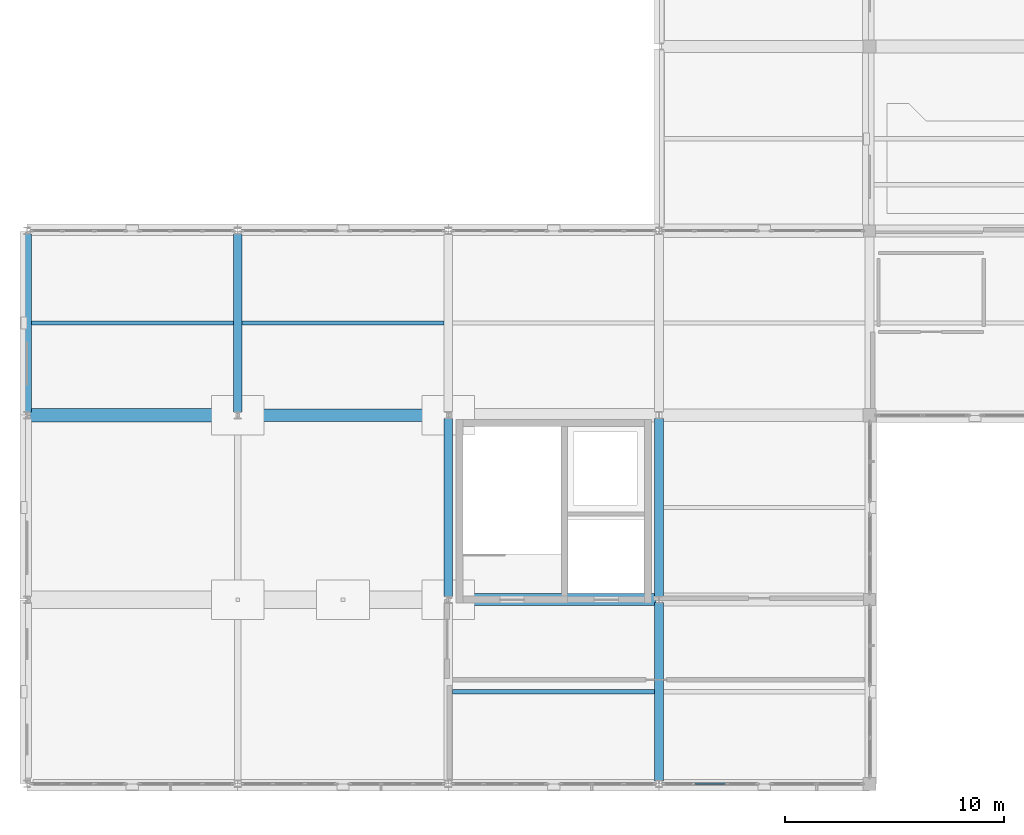
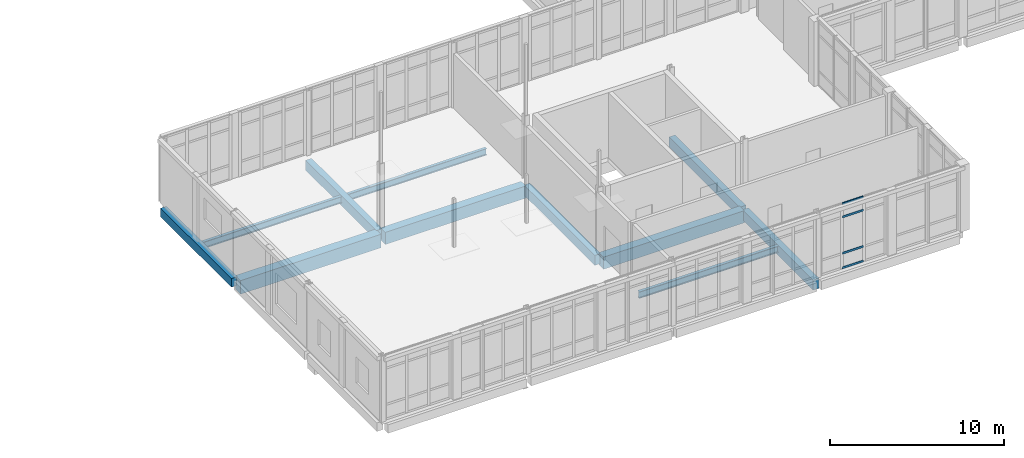
# One storey, part 11 of 88: 11 beams, 4 members, 1 element without a shape of its own.
"""IFC4 building model written with IfcOpenShell, lengths in metres."""

import ifcopenshell
import ifcopenshell.guid

model = None  # the IFC model being written
_history = None  # IfcOwnerHistory: only IFC2X3 demands one
_inside = {}  # id of a spatial element -> (the spatial element, [elements in it])
_under = {}  # id of a project, library or spatial element -> (it, [spatial elements below it])
_declared = {}  # id of a project -> (the project, [libraries it declares])
_typed = {}  # id of a type object -> (the type object, [elements of that type])
_made_of = {}  # id of a material, layer set ... -> (it, [elements and type objects made of it])


def new_model(schema):
    """Start an empty IFC model of exactly this schema.

    Asked for "IFC4X3", IfcOpenShell would pick the latest addendum, in which some entities
    have other attributes; the version numbers below select the first issue.
    IFC2X3 requires an IfcOwnerHistory on every rooted entity: one is made here for all.
    """
    global model, _history
    if schema == "IFC4X3":
        model = ifcopenshell.file(schema_version=(4, 3, 0, 0))
    else:
        model = ifcopenshell.file(schema=schema)
    _inside.clear()
    _under.clear()
    _declared.clear()
    _typed.clear()
    _made_of.clear()
    _history = None
    if model.schema == "IFC2X3":
        org = make("IfcOrganization", Name="unknown")
        user = make(
            "IfcPersonAndOrganization",
            ThePerson=make("IfcPerson", FamilyName="unknown"),
            TheOrganization=org,
        )
        app = make(
            "IfcApplication",
            ApplicationDeveloper=org,
            Version="unknown",
            ApplicationFullName="unknown",
            ApplicationIdentifier="unknown",
        )
        _history = make(
            "IfcOwnerHistory",
            OwningUser=user,
            OwningApplication=app,
            ChangeAction="ADDED",
            CreationDate=0,
        )
    return model


def make(cls, **values):
    """One entity of the class cls with the attributes given. An attribute that is None is left unset."""
    return model.create_entity(
        cls, **{name: value for name, value in values.items() if value is not None}
    )


def rooted(cls, **values):
    """An entity with a GlobalId (a new one), such as an element, a storey or a relation."""
    return make(cls, GlobalId=ifcopenshell.guid.new(), OwnerHistory=_history, **values)


def si_unit(unit_type, name, prefix=None):
    """IfcSIUnit, for example si_unit("LENGTHUNIT", "METRE", prefix="MILLI")."""
    return make("IfcSIUnit", UnitType=unit_type, Prefix=prefix, Name=name)


def assignment(units):
    """IfcUnitAssignment: the units of a project."""
    return None if units is None else make("IfcUnitAssignment", Units=units)


def point(xyz):
    """IfcCartesianPoint."""
    return None if xyz is None else make("IfcCartesianPoint", Coordinates=xyz)


def direction(xyz):
    """IfcDirection."""
    return None if xyz is None else make("IfcDirection", DirectionRatios=xyz)


def frame(location, z_axis=None, x_axis=None):
    """IfcAxis2Placement3D, a coordinate frame: its origin and axes. An axis left out is left unset."""
    return make(
        "IfcAxis2Placement3D",
        Location=point(location),
        Axis=direction(z_axis),
        RefDirection=direction(x_axis),
    )


def frame_2d(location, x_axis=None):
    """IfcAxis2Placement2D, a coordinate frame in the plane: its origin and x axis."""
    return make(
        "IfcAxis2Placement2D", Location=point(location), RefDirection=direction(x_axis)
    )


def origin():
    """The frame at (0, 0, 0) with its axes left unset."""
    return frame((0.0, 0.0, 0.0))


def origin_2d():
    """The frame at (0, 0) in the plane with its x axis left unset."""
    return frame_2d((0.0, 0.0))


def place(relative_to, where):
    """IfcLocalPlacement: puts the frame where relative to a parent placement (None: the world)."""
    return make(
        "IfcLocalPlacement", PlacementRelTo=relative_to, RelativePlacement=where
    )


def context(
    kind, dimensions, precision=None, world=None, true_north=None, identifier=None
):
    """IfcGeometricRepresentationContext, for example the 3D "Model" context."""
    return make(
        "IfcGeometricRepresentationContext",
        ContextIdentifier=identifier,
        ContextType=kind,
        CoordinateSpaceDimension=dimensions,
        Precision=precision,
        WorldCoordinateSystem=world,
        TrueNorth=true_north,
    )


def subcontext(parent, identifier, kind, view, scale=None):
    """IfcGeometricRepresentationSubContext, for example "Body" below "Model"."""
    return make(
        "IfcGeometricRepresentationSubContext",
        ContextIdentifier=identifier,
        ContextType=kind,
        ParentContext=parent,
        TargetScale=scale,
        TargetView=view,
    )


def project(units=None, contexts=None):
    """IfcProject with its units and contexts."""
    return rooted(
        "IfcProject",
        Name="project",
        RepresentationContexts=contexts,
        UnitsInContext=assignment(units),
    )


def spatial(cls, under=None, at=None, **own):
    """A site, building, storey or space (cls), placed at a placement, below another one or the project."""
    s = rooted(cls, ObjectPlacement=at, **own)
    if under is not None:
        _under.setdefault(under.id(), (under, []))[1].append(s)
    return s


def profile(cls, at=None, kind="AREA", **sizes):
    """A parametric profile (cls). Its sizes go by their IFC names, for example OverallWidth=200.0."""
    return make(cls, ProfileType=kind, Position=at, **sizes)


def rectangle(**sizes):
    """IfcRectangleProfileDef."""
    return profile("IfcRectangleProfileDef", **sizes)


def hollow_rectangle(**sizes):
    """IfcRectangleHollowProfileDef."""
    return profile("IfcRectangleHollowProfileDef", **sizes)


def i_section(**sizes):
    """IfcIShapeProfileDef."""
    return profile("IfcIShapeProfileDef", **sizes)


def extrude(swept, where, along, depth):
    """IfcExtrudedAreaSolid: the profile swept, set in the frame where, extruded along a direction by depth."""
    return make(
        "IfcExtrudedAreaSolid",
        SweptArea=swept,
        Position=where,
        ExtrudedDirection=direction(along),
        Depth=depth,
    )


def shape(context_of_items, identifier, shape_type, items):
    """IfcShapeRepresentation: the items that make up one representation, for example the "Body"."""
    return make(
        "IfcShapeRepresentation",
        ContextOfItems=context_of_items,
        RepresentationIdentifier=identifier,
        RepresentationType=shape_type,
        Items=items,
    )


def material(Name=None, Category=None):
    """IfcMaterial."""
    return make("IfcMaterial", Name=Name, Category=Category)


def layer(
    of_material, thickness, ventilated=None, Name=None, Category=None, Priority=None
):
    """IfcMaterialLayer: one layer of a wall or slab, of a material (None: an air gap)."""
    return make(
        "IfcMaterialLayer",
        Material=of_material,
        LayerThickness=thickness,
        IsVentilated=ventilated,
        Name=Name,
        Category=Category,
        Priority=Priority,
    )


def layer_set(layers, Name=None):
    """IfcMaterialLayerSet."""
    return make("IfcMaterialLayerSet", MaterialLayers=layers, LayerSetName=Name)


def material_profile(
    of_material, cross_section, Name=None, Category=None, Priority=None
):
    """IfcMaterialProfile: a cross section and its material."""
    return make(
        "IfcMaterialProfile",
        Name=Name,
        Material=of_material,
        Profile=cross_section,
        Priority=Priority,
        Category=Category,
    )


def profile_set(profiles, Name=None, composite=None):
    """IfcMaterialProfileSet."""
    return make(
        "IfcMaterialProfileSet",
        Name=Name,
        MaterialProfiles=profiles,
        CompositeProfile=composite,
    )


def made_of(thing, what):
    """Note that an element or type object is made of a material, layer set ...; save() writes the relation."""
    if what is not None:
        _made_of.setdefault(what.id(), (what, []))[1].append(thing)
    return thing


def type_object(cls, material=None, **own):
    """A type object (cls), such as IfcWallType, which elements share."""
    return made_of(rooted(cls, **own), material)


def element(
    cls,
    number,
    at=None,
    inside=None,
    cuts=None,
    type_object=None,
    material=None,
    context=None,
    identifier="Body",
    shape_type=None,
    held_by="IfcProductDefinitionShape",
    body=None,
    shapes=None,
    **own,
):
    """One element of the class cls, such as IfcWall. Its Tag is "e" and its number.

    at: its placement. inside: the storey or other place that contains it. cuts: it is an
    opening in that element (IfcRelVoidsElement). A single representation is given by context,
    identifier, shape_type and body (its items); several are given by shapes. held_by: the class
    of the entity that holds the representations. save() writes the other relations.
    """
    e = rooted(cls, Tag="e%d" % number, ObjectPlacement=at, **own)
    if body is not None:
        shapes = [shape(context, identifier, shape_type, body)]
    if shapes is not None:
        e.Representation = make(held_by, Representations=shapes)
    if inside is not None:
        _inside.setdefault(inside.id(), (inside, []))[1].append(e)
    if cuts is not None:
        rooted(
            "IfcRelVoidsElement", RelatingBuildingElement=cuts, RelatedOpeningElement=e
        )
    if type_object is not None:
        _typed.setdefault(type_object.id(), (type_object, []))[1].append(e)
    return made_of(e, material)


def aggregate(whole, parts):
    """IfcRelAggregates: a whole, such as a stair, and the parts it consists of."""
    return rooted("IfcRelAggregates", RelatingObject=whole, RelatedObjects=parts)


def save(model, path):
    """Write the relations noted so far, then the file.

    IfcRelAggregates (storeys below a building ...), IfcRelContainedInSpatialStructure (elements
    in a storey), IfcRelDefinesByType, IfcRelAssociatesMaterial and IfcRelDeclares: one each for
    every whole, place, type object, material and project.
    """
    for whole, parts in _under.values():
        aggregate(whole, parts)
    for where, things in _inside.values():
        rooted(
            "IfcRelContainedInSpatialStructure",
            RelatedElements=things,
            RelatingStructure=where,
        )
    for kind, things in _typed.values():
        rooted("IfcRelDefinesByType", RelatedObjects=things, RelatingType=kind)
    for what, things in _made_of.values():
        rooted("IfcRelAssociatesMaterial", RelatedObjects=things, RelatingMaterial=what)
    for by, libraries in _declared.values():
        rooted("IfcRelDeclares", RelatingContext=by, RelatedDefinitions=libraries)
    model.write(path)


model = new_model("IFC4")

# Units and contexts
model_context = context("Model", 3, precision=1e-05, world=origin(), true_north=direction((0.0, 1.0)))
body_context = subcontext(model_context, "Body", "Model", "MODEL_VIEW")
ifc_project = project(units=[si_unit("LENGTHUNIT", "METRE"), si_unit("AREAUNIT", "SQUARE_METRE"), si_unit("VOLUMEUNIT", "CUBIC_METRE"), si_unit("PLANEANGLEUNIT", "RADIAN"), si_unit("MASSUNIT", "GRAM", prefix="KILO")], contexts=[model_context])

# Site, building, storey
site_placement = place(None, origin())
site = spatial("IfcSite", under=ifc_project, at=site_placement, CompositionType="ELEMENT")
building_placement = place(site_placement, origin())
building = spatial("IfcBuilding", under=site, at=building_placement, Name="Lornevale Opera House", CompositionType="ELEMENT")
storey_placement = place(building_placement, frame((0.0, 0.0, 10.199951171875)))
storey = spatial("IfcBuildingStorey", under=building, at=storey_placement, Name="L03", CompositionType="ELEMENT", Elevation=10.199951171875)

# Beams
ifc_material_1 = material(Name="Concrete 35 MPa (CSA A23.1 N)", Category="concrete")
ifc_material_profile_1 = material_profile(ifc_material_1, rectangle(XDim=0.39990234375, YDim=0.699951171875, at=origin_2d()), Name="RC400x700")
ifc_profile_set_1 = profile_set([ifc_material_profile_1], Name="Concrete 35 MPa (CSA A23.1 N)")
beam_type_1 = type_object("IfcBeamType", Name="Concrete Floor Beam 400x700", PredefinedType="USERDEFINED", material=ifc_profile_set_1)
for number, where, z_axis, x_axis, name in (
    (1, (9.60009765625, 16.9375, -0.6298828125), (0.0, 1.0, 0.0), (-1.0, 0.0, 0.0), "Concrete Floor Beam 400x700 2234"),
    (2, (19.199951171875, 8.53759765625, -0.6298828125), (0.0, 1.0, 0.0), (-1.0, 0.0, 0.0), "Concrete Floor Beam 400x700 2239"),
    (3, (28.800048828125, 0.137451171875, -0.6298828125), (0.0, 1.0, 0.0), (-1.0, 0.0, 0.0), "Concrete Floor Beam 400x700 2245"),
    (4, (28.800048828125, 8.53759765625, -0.6298828125), (0.0, 1.0, 0.0), (-1.0, 0.0, 0.0), "Concrete Floor Beam 400x700 2246"),
):
    element("IfcBeam", number, at=place(storey_placement, frame(where, z_axis=z_axis, x_axis=x_axis)), inside=storey, type_object=beam_type_1, Name=name, ObjectType="GIRDER", PredefinedType="USERDEFINED", context=body_context, shape_type="SweptSolid", body=[
        extrude(rectangle(XDim=0.39990234375, YDim=0.699951171875, at=origin_2d()), origin(), (0.0, 0.0, 1.0), 8.125),
    ])
ifc_material_profile_2 = material_profile(ifc_material_1, rectangle(XDim=0.550048828125, YDim=0.85009765625, at=origin_2d()), Name="RC550x850")
ifc_profile_set_2 = profile_set([ifc_material_profile_2], Name="Concrete 35 MPa (CSA A23.1 N)")
beam_type_2 = type_object("IfcBeamType", Name="Concrete Primary Girder 550x850", PredefinedType="USERDEFINED", material=ifc_profile_set_2)
beam_1_placement = place(storey_placement, frame((19.346923828125, 8.39990234375, -0.704833984375), z_axis=(1.0, 0.0, 0.0), x_axis=(0.0, 1.0, 0.0)))
element("IfcBeam", 5, at=beam_1_placement, inside=storey, type_object=beam_type_2, Name="Concrete Primary Girder 550x850 2087", ObjectType="GIRDER", PredefinedType="USERDEFINED", context=body_context, shape_type="SweptSolid", body=[
    extrude(rectangle(XDim=0.550048828125, YDim=0.85009765625, at=origin_2d()), origin(), (0.0, 0.0, 1.0), 9.30615234375),
])
beam_2_placement = place(storey_placement, frame((9.7470703125, 16.800048828125, -0.704833984375), z_axis=(1.0, 0.0, 0.0), x_axis=(0.0, 1.0, 0.0)))
element("IfcBeam", 6, at=beam_2_placement, inside=storey, type_object=beam_type_2, Name="Concrete Primary Girder 550x850 2092", ObjectType="GIRDER", PredefinedType="USERDEFINED", context=body_context, shape_type="SweptSolid", body=[
    extrude(rectangle(XDim=0.550048828125, YDim=0.85009765625, at=origin_2d()), origin(), (0.0, 0.0, 1.0), 9.305908203125),
])
ifc_material_profile_3 = material_profile(ifc_material_1, rectangle(XDim=0.60009765625, YDim=0.949951171875, at=origin_2d()), Name="RC600x950")
ifc_profile_set_3 = profile_set([ifc_material_profile_3], Name="Concrete 35 MPa (CSA A23.1 N)")
beam_type_3 = type_object("IfcBeamType", Name="Concrete Primary Girder 600x950", PredefinedType="USERDEFINED", material=ifc_profile_set_3)
beam_3_placement = place(storey_placement, frame((0.14697265625, 16.800048828125, -0.7548828125), z_axis=(1.0, 0.0, 0.0), x_axis=(0.0, 1.0, 0.0)))
element("IfcBeam", 7, at=beam_3_placement, inside=storey, type_object=beam_type_3, Name="Concrete Primary Girder 600x950 2091", ObjectType="GIRDER", PredefinedType="USERDEFINED", context=body_context, shape_type="SweptSolid", body=[
    extrude(rectangle(XDim=0.60009765625, YDim=0.949951171875, at=origin_2d()), origin(), (0.0, 0.0, 1.0), 9.305908203125),
])
ifc_material_profile_4 = material_profile(ifc_material_1, rectangle(XDim=0.39990234375, YDim=0.60009765625, at=origin_2d()), Name="RC400x600")
ifc_profile_set_4 = profile_set([ifc_material_profile_4], Name="Concrete 35 MPa (CSA A23.1 N)")
beam_type_4 = type_object("IfcBeamType", Name="Concrete Spandrel Beam 400x600", PredefinedType="SPANDREL", material=ifc_profile_set_4)
beam_4_placement = place(storey_placement, frame((0.0, 16.9375, -0.579833984375), z_axis=(0.0, 1.0, 0.0), x_axis=(-1.0, 0.0, 0.0)))
element("IfcBeam", 8, at=beam_4_placement, inside=storey, type_object=beam_type_4, Name="Concrete Spandrel Beam 400x600 2228", PredefinedType="SPANDREL", context=body_context, shape_type="SweptSolid", body=[
    extrude(rectangle(XDim=0.39990234375, YDim=0.60009765625, at=origin_2d()), origin(), (0.0, 0.0, 1.0), 8.125),
])

# Curtain wall, members
ifc_material_2 = material(Name="Anodized Oxide-Green Aluminium Framing", Category="aluminium")
ifc_layer = layer(ifc_material_2, 0.175048828125)
ifc_layer_set = layer_set([ifc_layer], Name="Anodized Oxide-Green Aluminium Framing")
curtain_wall_type = type_object("IfcCurtainWallType", Name="Chamber Cloister Curtain Wall M1700", PredefinedType="NOTDEFINED", material=ifc_layer_set)
curtain_wall_placement = place(storey_placement, origin())
curtain_wall = element("IfcCurtainWall", 9, at=curtain_wall_placement, inside=storey, type_object=curtain_wall_type, Name="Chamber Cloister Curtain Wall M1700 CW-117", PredefinedType="NOTDEFINED")
ifc_material_profile_5 = material_profile(ifc_material_2, hollow_rectangle(XDim=0.06494140625, YDim=0.135009765625, WallThickness=0.00390625, at=origin_2d()), Name="ALU65x135x4")
ifc_profile_set_5 = profile_set([ifc_material_profile_5], Name="Anodized Oxide-Green Aluminium Framing")
member_type = type_object("IfcMemberType", Name="Curtain Wall Transom 65x135", PredefinedType="USERDEFINED", material=ifc_profile_set_5)
member_1_placement = place(storey_placement, frame((31.8310546875, 0.0, 0.032470703125), z_axis=(-1.0, 0.0, 0.0), x_axis=(0.0, -1.0, 0.0)))
member_1 = element("IfcMember", 10, at=member_1_placement, type_object=member_type, Name="Curtain Wall Transom 65x135 CW2448", ObjectType="TRANSOM", PredefinedType="USERDEFINED", context=body_context, shape_type="SweptSolid", body=[
    extrude(hollow_rectangle(XDim=0.06494140625, YDim=0.135009765625, WallThickness=0.00390625, at=origin_2d()), origin(), (0.0, 0.0, 1.0), 1.3916015625),
])
member_2_placement = place(storey_placement, frame((31.8310546875, 0.0, 1.050048828125), z_axis=(-1.0, 0.0, 0.0), x_axis=(0.0, -1.0, 0.0)))
member_2 = element("IfcMember", 11, at=member_2_placement, type_object=member_type, Name="Curtain Wall Transom 65x135 CW2449", ObjectType="TRANSOM", PredefinedType="USERDEFINED", context=body_context, shape_type="SweptSolid", body=[
    extrude(hollow_rectangle(XDim=0.06494140625, YDim=0.135009765625, WallThickness=0.00390625, at=origin_2d()), origin(), (0.0, 0.0, 1.0), 1.3916015625),
])
member_3_placement = place(storey_placement, frame((31.8310546875, 0.0, 3.590087890625), z_axis=(-1.0, 0.0, 0.0), x_axis=(0.0, -1.0, 0.0)))
member_3 = element("IfcMember", 12, at=member_3_placement, type_object=member_type, Name="Curtain Wall Transom 65x135 CW2450", ObjectType="TRANSOM", PredefinedType="USERDEFINED", context=body_context, shape_type="SweptSolid", body=[
    extrude(hollow_rectangle(XDim=0.06494140625, YDim=0.135009765625, WallThickness=0.00390625, at=origin_2d()), origin(), (0.0, 0.0, 1.0), 1.3916015625),
])
member_4_placement = place(storey_placement, frame((31.8310546875, 0.0, 4.507568359375), z_axis=(-1.0, 0.0, 0.0), x_axis=(0.0, -1.0, 0.0)))
member_4 = element("IfcMember", 13, at=member_4_placement, type_object=member_type, Name="Curtain Wall Transom 65x135 CW2451", ObjectType="TRANSOM", PredefinedType="USERDEFINED", context=body_context, shape_type="SweptSolid", body=[
    extrude(hollow_rectangle(XDim=0.06494140625, YDim=0.135009765625, WallThickness=0.00390625, at=origin_2d()), origin(), (0.0, 0.0, 1.0), 1.3916015625),
])
aggregate(curtain_wall, [member_1, member_2, member_3, member_4])

# Beams
ifc_material_3 = material(Name="Structural Steel CSA G40.21 Grade 350W (350 MPa)", Category="steel")
ifc_material_profile_6 = material_profile(ifc_material_3, i_section(OverallWidth=0.19189453125, OverallDepth=0.462890625, WebThickness=0.010498046875, FlangeThickness=0.017578125, at=origin_2d()), Name="W460x89")
ifc_profile_set_6 = profile_set([ifc_material_profile_6], Name="Structural Steel CSA G40.21 Grade 350W (350 MPa)")
beam_type_5 = type_object("IfcBeamType", Name="Steel Floor Joist W460x89", PredefinedType="JOIST", material=ifc_profile_set_6)
for number, where, z_axis, x_axis, name in (
    (14, (0.199951171875, 21.0, -0.5263671875), (1.0, 0.0, 0.0), (0.0, 1.0, 0.0), "Steel Floor Joist W460x89 2366"),
    (15, (9.800048828125, 21.0, -0.5263671875), (1.0, 0.0, 0.0), (0.0, 1.0, 0.0), "Steel Floor Joist W460x89 2369"),
):
    element("IfcBeam", number, at=place(storey_placement, frame(where, z_axis=z_axis, x_axis=x_axis)), inside=storey, type_object=beam_type_5, Name=name, PredefinedType="JOIST", context=body_context, shape_type="SweptSolid", body=[
        extrude(i_section(OverallWidth=0.19189453125, OverallDepth=0.462890625, WebThickness=0.010498046875, FlangeThickness=0.017578125, at=origin_2d()), origin(), (0.0, 0.0, 1.0), 9.199951171875),
    ])
beam_5_placement = place(storey_placement, frame((19.39990234375, 4.199951171875, -0.5263671875), z_axis=(1.0, 0.0, 0.0), x_axis=(0.0, 1.0, 0.0)))
element("IfcBeam", 16, at=beam_5_placement, inside=storey, type_object=beam_type_5, Name="Steel Floor Joist W460x89 2372", PredefinedType="JOIST", context=body_context, shape_type="SweptSolid", body=[
    extrude(i_section(OverallWidth=0.19189453125, OverallDepth=0.462890625, WebThickness=0.010498046875, FlangeThickness=0.017578125, at=origin_2d()), origin(), (0.0, 0.0, 1.0), 9.2001953125),
])

save(model, "model.ifc")
